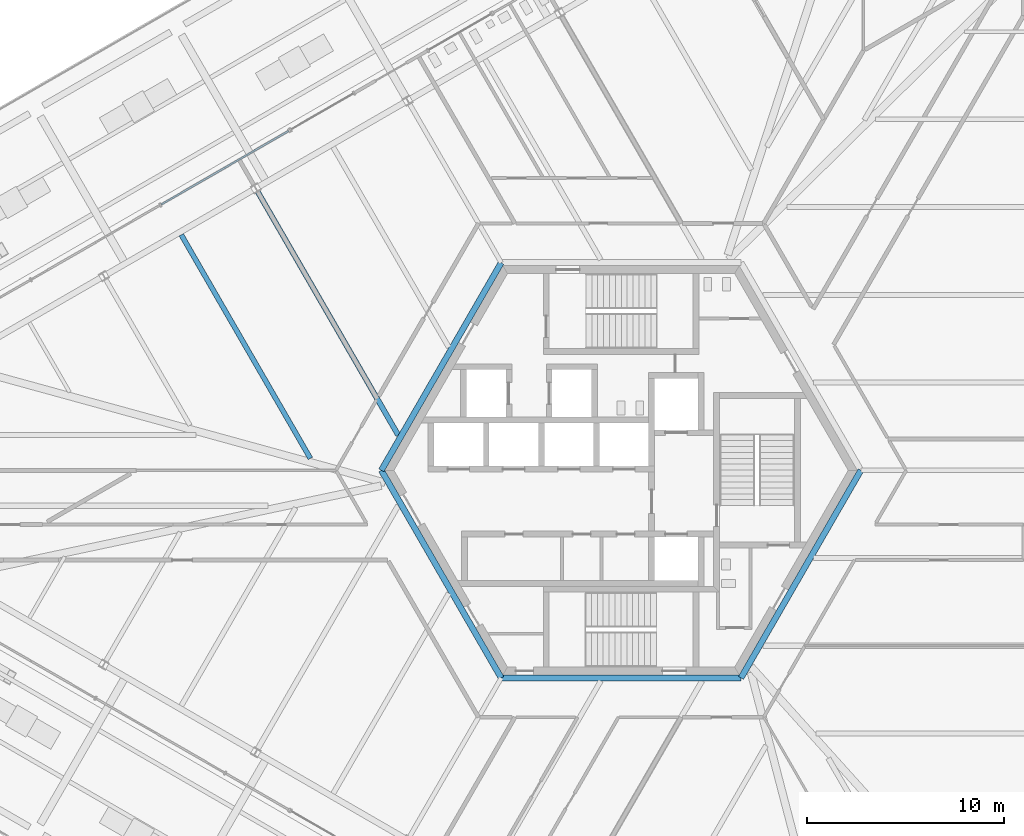
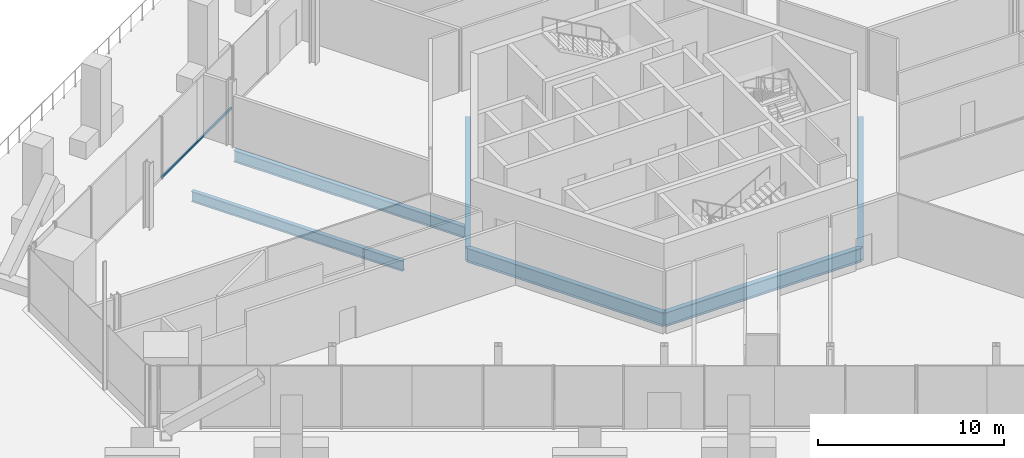
# One storey, part 8 of 38: 6 beams, 1 member, 1 element without a shape of its own.
"""IFC4 building model written with IfcOpenShell, lengths in metres."""

import ifcopenshell
import ifcopenshell.guid

model = None  # the IFC model being written
_history = None  # IfcOwnerHistory: only IFC2X3 demands one
_inside = {}  # id of a spatial element -> (the spatial element, [elements in it])
_under = {}  # id of a project, library or spatial element -> (it, [spatial elements below it])
_declared = {}  # id of a project -> (the project, [libraries it declares])
_typed = {}  # id of a type object -> (the type object, [elements of that type])
_made_of = {}  # id of a material, layer set ... -> (it, [elements and type objects made of it])


def new_model(schema):
    """Start an empty IFC model of exactly this schema.

    Asked for "IFC4X3", IfcOpenShell would pick the latest addendum, in which some entities
    have other attributes; the version numbers below select the first issue.
    IFC2X3 requires an IfcOwnerHistory on every rooted entity: one is made here for all.
    """
    global model, _history
    if schema == "IFC4X3":
        model = ifcopenshell.file(schema_version=(4, 3, 0, 0))
    else:
        model = ifcopenshell.file(schema=schema)
    _inside.clear()
    _under.clear()
    _declared.clear()
    _typed.clear()
    _made_of.clear()
    _history = None
    if model.schema == "IFC2X3":
        org = make("IfcOrganization", Name="unknown")
        user = make(
            "IfcPersonAndOrganization",
            ThePerson=make("IfcPerson", FamilyName="unknown"),
            TheOrganization=org,
        )
        app = make(
            "IfcApplication",
            ApplicationDeveloper=org,
            Version="unknown",
            ApplicationFullName="unknown",
            ApplicationIdentifier="unknown",
        )
        _history = make(
            "IfcOwnerHistory",
            OwningUser=user,
            OwningApplication=app,
            ChangeAction="ADDED",
            CreationDate=0,
        )
    return model


def make(cls, **values):
    """One entity of the class cls with the attributes given. An attribute that is None is left unset."""
    return model.create_entity(
        cls, **{name: value for name, value in values.items() if value is not None}
    )


def rooted(cls, **values):
    """An entity with a GlobalId (a new one), such as an element, a storey or a relation."""
    return make(cls, GlobalId=ifcopenshell.guid.new(), OwnerHistory=_history, **values)


def si_unit(unit_type, name, prefix=None):
    """IfcSIUnit, for example si_unit("LENGTHUNIT", "METRE", prefix="MILLI")."""
    return make("IfcSIUnit", UnitType=unit_type, Prefix=prefix, Name=name)


def assignment(units):
    """IfcUnitAssignment: the units of a project."""
    return None if units is None else make("IfcUnitAssignment", Units=units)


def point(xyz):
    """IfcCartesianPoint."""
    return None if xyz is None else make("IfcCartesianPoint", Coordinates=xyz)


def direction(xyz):
    """IfcDirection."""
    return None if xyz is None else make("IfcDirection", DirectionRatios=xyz)


def frame(location, z_axis=None, x_axis=None):
    """IfcAxis2Placement3D, a coordinate frame: its origin and axes. An axis left out is left unset."""
    return make(
        "IfcAxis2Placement3D",
        Location=point(location),
        Axis=direction(z_axis),
        RefDirection=direction(x_axis),
    )


def frame_2d(location, x_axis=None):
    """IfcAxis2Placement2D, a coordinate frame in the plane: its origin and x axis."""
    return make(
        "IfcAxis2Placement2D", Location=point(location), RefDirection=direction(x_axis)
    )


def origin():
    """The frame at (0, 0, 0) with its axes left unset."""
    return frame((0.0, 0.0, 0.0))


def origin_2d():
    """The frame at (0, 0) in the plane with its x axis left unset."""
    return frame_2d((0.0, 0.0))


def place(relative_to, where):
    """IfcLocalPlacement: puts the frame where relative to a parent placement (None: the world)."""
    return make(
        "IfcLocalPlacement", PlacementRelTo=relative_to, RelativePlacement=where
    )


def context(
    kind, dimensions, precision=None, world=None, true_north=None, identifier=None
):
    """IfcGeometricRepresentationContext, for example the 3D "Model" context."""
    return make(
        "IfcGeometricRepresentationContext",
        ContextIdentifier=identifier,
        ContextType=kind,
        CoordinateSpaceDimension=dimensions,
        Precision=precision,
        WorldCoordinateSystem=world,
        TrueNorth=true_north,
    )


def subcontext(parent, identifier, kind, view, scale=None):
    """IfcGeometricRepresentationSubContext, for example "Body" below "Model"."""
    return make(
        "IfcGeometricRepresentationSubContext",
        ContextIdentifier=identifier,
        ContextType=kind,
        ParentContext=parent,
        TargetScale=scale,
        TargetView=view,
    )


def project(units=None, contexts=None):
    """IfcProject with its units and contexts."""
    return rooted(
        "IfcProject",
        Name="project",
        RepresentationContexts=contexts,
        UnitsInContext=assignment(units),
    )


def spatial(cls, under=None, at=None, **own):
    """A site, building, storey or space (cls), placed at a placement, below another one or the project."""
    s = rooted(cls, ObjectPlacement=at, **own)
    if under is not None:
        _under.setdefault(under.id(), (under, []))[1].append(s)
    return s


def profile(cls, at=None, kind="AREA", **sizes):
    """A parametric profile (cls). Its sizes go by their IFC names, for example OverallWidth=200.0."""
    return make(cls, ProfileType=kind, Position=at, **sizes)


def rectangle(**sizes):
    """IfcRectangleProfileDef."""
    return profile("IfcRectangleProfileDef", **sizes)


def i_section(**sizes):
    """IfcIShapeProfileDef."""
    return profile("IfcIShapeProfileDef", **sizes)


def extrude(swept, where, along, depth):
    """IfcExtrudedAreaSolid: the profile swept, set in the frame where, extruded along a direction by depth."""
    return make(
        "IfcExtrudedAreaSolid",
        SweptArea=swept,
        Position=where,
        ExtrudedDirection=direction(along),
        Depth=depth,
    )


def shape(context_of_items, identifier, shape_type, items):
    """IfcShapeRepresentation: the items that make up one representation, for example the "Body"."""
    return make(
        "IfcShapeRepresentation",
        ContextOfItems=context_of_items,
        RepresentationIdentifier=identifier,
        RepresentationType=shape_type,
        Items=items,
    )


def source(mapping_origin, context_of_items, identifier, shape_type, items):
    """IfcRepresentationMap: a shape defined once, which mapped items show again and again."""
    return make(
        "IfcRepresentationMap",
        MappingOrigin=mapping_origin,
        MappedRepresentation=shape(context_of_items, identifier, shape_type, items),
    )


def transform(
    local_origin,
    x_axis=None,
    y_axis=None,
    z_axis=None,
    scale=None,
    scale2=None,
    scale3=None,
    uniform=True,
):
    """IfcCartesianTransformationOperator3D, or its non-uniform kind. x_axis, y_axis, z_axis: its Axis1, 2, 3."""
    if uniform:
        return make(
            "IfcCartesianTransformationOperator3D",
            Axis1=direction(x_axis),
            Axis2=direction(y_axis),
            LocalOrigin=point(local_origin),
            Scale=scale,
            Axis3=direction(z_axis),
        )
    return make(
        "IfcCartesianTransformationOperator3DnonUniform",
        Axis1=direction(x_axis),
        Axis2=direction(y_axis),
        LocalOrigin=point(local_origin),
        Scale=scale,
        Axis3=direction(z_axis),
        Scale2=scale2,
        Scale3=scale3,
    )


def mapped(mapping_source, mapping_target):
    """IfcMappedItem: shows the shape of a source again, moved by a transform."""
    return make(
        "IfcMappedItem", MappingSource=mapping_source, MappingTarget=mapping_target
    )


def material(Name=None, Category=None):
    """IfcMaterial."""
    return make("IfcMaterial", Name=Name, Category=Category)


def material_profile(
    of_material, cross_section, Name=None, Category=None, Priority=None
):
    """IfcMaterialProfile: a cross section and its material."""
    return make(
        "IfcMaterialProfile",
        Name=Name,
        Material=of_material,
        Profile=cross_section,
        Priority=Priority,
        Category=Category,
    )


def profile_set(profiles, Name=None, composite=None):
    """IfcMaterialProfileSet."""
    return make(
        "IfcMaterialProfileSet",
        Name=Name,
        MaterialProfiles=profiles,
        CompositeProfile=composite,
    )


def made_of(thing, what):
    """Note that an element or type object is made of a material, layer set ...; save() writes the relation."""
    if what is not None:
        _made_of.setdefault(what.id(), (what, []))[1].append(thing)
    return thing


def type_object(cls, material=None, **own):
    """A type object (cls), such as IfcWallType, which elements share."""
    return made_of(rooted(cls, **own), material)


def element(
    cls,
    number,
    at=None,
    inside=None,
    cuts=None,
    type_object=None,
    material=None,
    context=None,
    identifier="Body",
    shape_type=None,
    held_by="IfcProductDefinitionShape",
    body=None,
    shapes=None,
    **own,
):
    """One element of the class cls, such as IfcWall. Its Tag is "e" and its number.

    at: its placement. inside: the storey or other place that contains it. cuts: it is an
    opening in that element (IfcRelVoidsElement). A single representation is given by context,
    identifier, shape_type and body (its items); several are given by shapes. held_by: the class
    of the entity that holds the representations. save() writes the other relations.
    """
    e = rooted(cls, Tag="e%d" % number, ObjectPlacement=at, **own)
    if body is not None:
        shapes = [shape(context, identifier, shape_type, body)]
    if shapes is not None:
        e.Representation = make(held_by, Representations=shapes)
    if inside is not None:
        _inside.setdefault(inside.id(), (inside, []))[1].append(e)
    if cuts is not None:
        rooted(
            "IfcRelVoidsElement", RelatingBuildingElement=cuts, RelatedOpeningElement=e
        )
    if type_object is not None:
        _typed.setdefault(type_object.id(), (type_object, []))[1].append(e)
    return made_of(e, material)


def aggregate(whole, parts):
    """IfcRelAggregates: a whole, such as a stair, and the parts it consists of."""
    return rooted("IfcRelAggregates", RelatingObject=whole, RelatedObjects=parts)


def save(model, path):
    """Write the relations noted so far, then the file.

    IfcRelAggregates (storeys below a building ...), IfcRelContainedInSpatialStructure (elements
    in a storey), IfcRelDefinesByType, IfcRelAssociatesMaterial and IfcRelDeclares: one each for
    every whole, place, type object, material and project.
    """
    for whole, parts in _under.values():
        aggregate(whole, parts)
    for where, things in _inside.values():
        rooted(
            "IfcRelContainedInSpatialStructure",
            RelatedElements=things,
            RelatingStructure=where,
        )
    for kind, things in _typed.values():
        rooted("IfcRelDefinesByType", RelatedObjects=things, RelatingType=kind)
    for what, things in _made_of.values():
        rooted("IfcRelAssociatesMaterial", RelatedObjects=things, RelatingMaterial=what)
    for by, libraries in _declared.values():
        rooted("IfcRelDeclares", RelatingContext=by, RelatedDefinitions=libraries)
    model.write(path)


model = new_model("IFC4")

# Units and contexts
model_context = context("Model", 3, precision=1e-05, world=origin(), true_north=direction((0.0, 1.0)))
body_context = subcontext(model_context, "Body", "Model", "MODEL_VIEW")
ifc_project = project(units=[si_unit("LENGTHUNIT", "METRE"), si_unit("AREAUNIT", "SQUARE_METRE"), si_unit("VOLUMEUNIT", "CUBIC_METRE"), si_unit("PLANEANGLEUNIT", "RADIAN"), si_unit("MASSUNIT", "GRAM", prefix="KILO")], contexts=[model_context])

# Site, building, storey
site_placement = place(None, origin())
site = spatial("IfcSite", under=ifc_project, at=site_placement, CompositionType="ELEMENT")
building_placement = place(site_placement, origin())
building = spatial("IfcBuilding", under=site, at=building_placement, Name="Triune Harvest Tower", CompositionType="ELEMENT")
storey_placement = place(building_placement, frame((0.0, 0.0, 16.0)))
storey = spatial("IfcBuildingStorey", under=building, at=storey_placement, Name="L03", CompositionType="ELEMENT", Elevation=16.0)

# Curtain wall, member
ifc_material_1 = material(Name="Aluminium bronze anodised", Category="aluminium")
curtain_wall_type = type_object("IfcCurtainWallType", Name="CW-10 Balcony window wall with insulated spandrel infill", PredefinedType="NOTDEFINED", material=ifc_material_1)
curtain_wall_placement = place(storey_placement, origin())
curtain_wall = element("IfcCurtainWall", 1, at=curtain_wall_placement, inside=storey, type_object=curtain_wall_type, Name="CW-10 B1-F3 L03 run 1002")
ifc_material_2 = material(Name="Aluminium bronze anodised", Category="aluminium")
ifc_material_profile_1 = material_profile(ifc_material_2, rectangle(XDim=0.090087890625, YDim=0.14990234375, at=origin_2d()), Name="TR-6 transom 90 x 150")
ifc_profile_set_1 = profile_set([ifc_material_profile_1], Name="Aluminium bronze anodised")
member_type = type_object("IfcMemberType", Name="TR-6 transom 90 x 150", PredefinedType="USERDEFINED", material=ifc_profile_set_1)
member_placement = place(storey_placement, frame((-16.8857421875, 17.238037109375, 0.074951171875), z_axis=(-0.866032395052, -0.499987890574, 0.0), x_axis=(0.499987890574, -0.866032395052, 0.0)))
member = element("IfcMember", 2, at=member_placement, type_object=member_type, Name="CW-10 transom B1-F3 1002.1", ObjectType="TRANSOM", PredefinedType="USERDEFINED", context=body_context, shape_type="SweptSolid", body=[
    extrude(rectangle(XDim=0.090087890625, YDim=0.14990234375, at=origin_2d()), origin(), (0.0, 0.0, 1.0), 7.484130859375),
])
aggregate(curtain_wall, [member])

# Beams
ifc_material_3 = material(Name="Steel ASTM A992 Gr 50", Category="steel")
ifc_material_profile_2 = material_profile(ifc_material_3, i_section(OverallWidth=0.3046875, OverallDepth=0.914306640625, WebThickness=0.0166015625, FlangeThickness=0.02587890625, at=origin_2d()), Name="W36x160")
ifc_profile_set_2 = profile_set([ifc_material_profile_2], Name="Steel ASTM A992 Gr 50")
beam_type_1 = type_object("IfcBeamType", Name="CG-1 Core ring girder W36x160", PredefinedType="BEAM", material=ifc_profile_set_2)
shared_shape_1 = source(origin(), body_context, "Body", "SweptSolid", [
    extrude(i_section(OverallWidth=0.3046875, OverallDepth=0.914306640625, WebThickness=0.0166015625, FlangeThickness=0.02587890625, at=origin_2d()), origin(), (0.0, 0.0, 1.0), 12.176025390625),
])
for number, where, z_axis, x_axis, name in (
    (3, (-6.087890625, 10.544677734375, -0.6572265625), (-0.5000099932, -0.866019634131, 0.0), (0.866019634131, -0.5000099932, 0.0), "beam/L03/CG3"),
    (4, (-12.176025390625, 0.0, -0.6572265625), (0.5000099932, -0.866019634131, 0.0), (0.866019634131, 0.5000099932, 0.0), "beam/L03/CG4"),
    (5, (6.087890625, -10.544677734375, -0.6572265625), (0.5000099932, 0.866019634131, 0.0), (-0.866019634131, 0.5000099932, 0.0), "beam/L03/CG6"),
):
    element("IfcBeam", number, at=place(storey_placement, frame(where, z_axis=z_axis, x_axis=x_axis)), inside=storey, type_object=beam_type_1, Name=name, PredefinedType="BEAM", context=body_context, shape_type="MappedRepresentation", body=[
        mapped(shared_shape_1, transform((0.0, 0.0, 0.0), scale=1.0)),
    ])
shared_shape_2 = source(origin(), body_context, "Body", "SweptSolid", [
    extrude(i_section(OverallWidth=0.3046875, OverallDepth=0.914306640625, WebThickness=0.0166015625, FlangeThickness=0.02587890625, at=origin_2d()), origin(), (0.0, 0.0, 1.0), 12.17578125),
])
beam_1_placement = place(storey_placement, frame((-6.087890625, -10.544677734375, -0.6572265625), z_axis=(1.0, 0.0, 0.0), x_axis=(0.0, 1.0, 0.0)))
element("IfcBeam", 6, at=beam_1_placement, inside=storey, type_object=beam_type_1, Name="beam/L03/CG5", PredefinedType="BEAM", context=body_context, shape_type="MappedRepresentation", body=[
    mapped(shared_shape_2, transform((0.0, 0.0, 0.0), scale=1.0)),
])
ifc_material_4 = material(Name="Steel ASTM A992 Gr 50", Category="steel")
ifc_material_profile_3 = material_profile(ifc_material_4, i_section(OverallWidth=0.2666015625, OverallDepth=0.7568359375, WebThickness=0.013916015625, FlangeThickness=0.019287109375, at=origin_2d()), Name="W30x108")
ifc_profile_set_3 = profile_set([ifc_material_profile_3], Name="Steel ASTM A992 Gr 50")
beam_type_2 = type_object("IfcBeamType", Name="JT-5 Floor joist W30x108", PredefinedType="JOIST", material=ifc_profile_set_3)
shared_shape_3 = source(origin(), body_context, "Body", "SweptSolid", [
    extrude(i_section(OverallWidth=0.2666015625, OverallDepth=0.7568359375, WebThickness=0.013916015625, FlangeThickness=0.019287109375, at=origin_2d()), origin(), (0.0, 0.0, 1.0), 14.2685546875),
])
beam_2_placement = place(storey_placement, frame((-18.454345703125, 14.14404296875, -0.57861328125), z_axis=(0.499987083308, -0.866032861112, 0.0), x_axis=(0.866032861112, 0.499987083308, 0.0)))
element("IfcBeam", 7, at=beam_2_placement, inside=storey, type_object=beam_type_2, Name="beam/L03/JT21", PredefinedType="JOIST", context=body_context, shape_type="MappedRepresentation", body=[
    mapped(shared_shape_3, transform((0.0, 0.0, 0.0), scale=1.0)),
])
ifc_material_5 = material(Name="Steel ASTM A992 Gr 50", Category="steel")
ifc_material_profile_4 = material_profile(ifc_material_5, i_section(OverallWidth=0.253662109375, OverallDepth=0.683349609375, WebThickness=0.012451171875, FlangeThickness=0.01904296875, at=origin_2d()), Name="W27x94")
ifc_profile_set_4 = profile_set([ifc_material_profile_4], Name="Steel ASTM A992 Gr 50")
beam_type_3 = type_object("IfcBeamType", Name="JT-4 Floor joist W27x94", PredefinedType="JOIST", material=ifc_profile_set_4)
shared_shape_4 = source(origin(), body_context, "Body", "SweptSolid", [
    extrude(i_section(OverallWidth=0.253662109375, OverallDepth=0.683349609375, WebThickness=0.012451171875, FlangeThickness=0.01904296875, at=origin_2d()), origin(), (0.0, 0.0, 1.0), 13.10986328125),
])
beam_3_placement = place(storey_placement, frame((-22.337890625, 11.96044921875, -0.54150390625), z_axis=(0.499998646344, -0.866026185317, 0.0), x_axis=(0.866026185317, 0.499998646344, 0.0)))
element("IfcBeam", 8, at=beam_3_placement, inside=storey, type_object=beam_type_3, Name="beam/L03/JT22", PredefinedType="JOIST", context=body_context, shape_type="MappedRepresentation", body=[
    mapped(shared_shape_4, transform((0.0, 0.0, 0.0), scale=1.0)),
])

save(model, "model.ifc")
